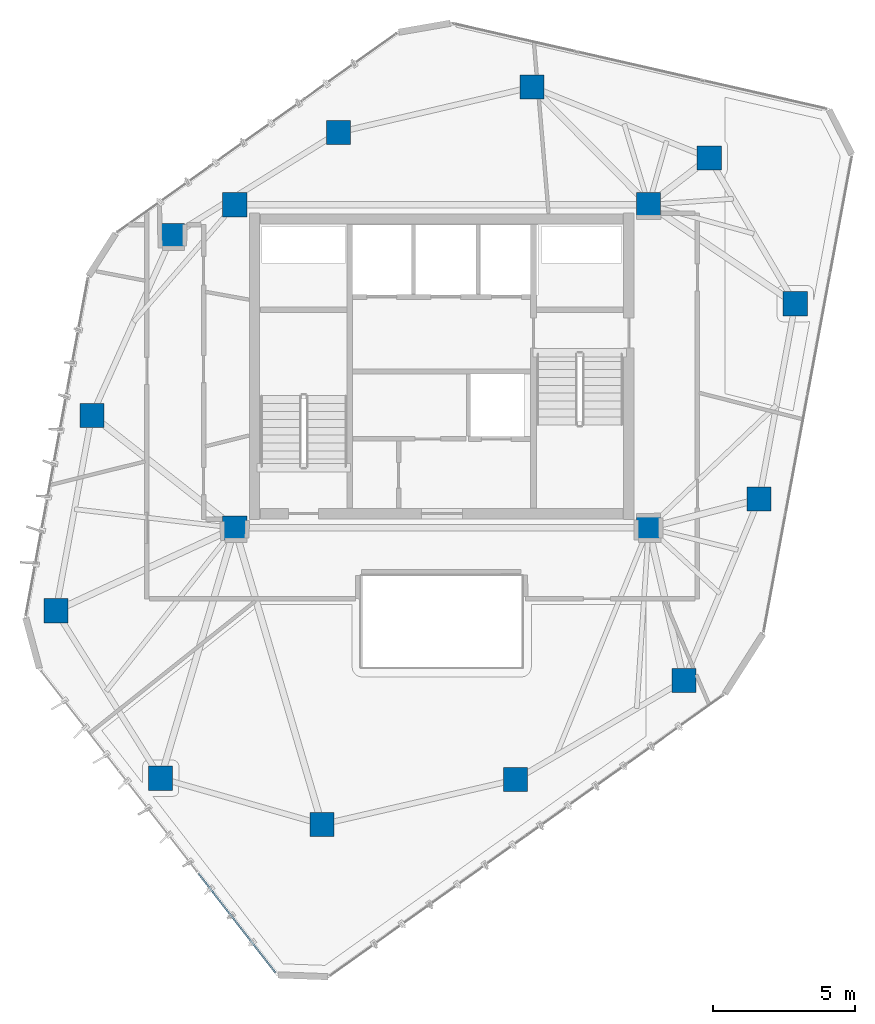
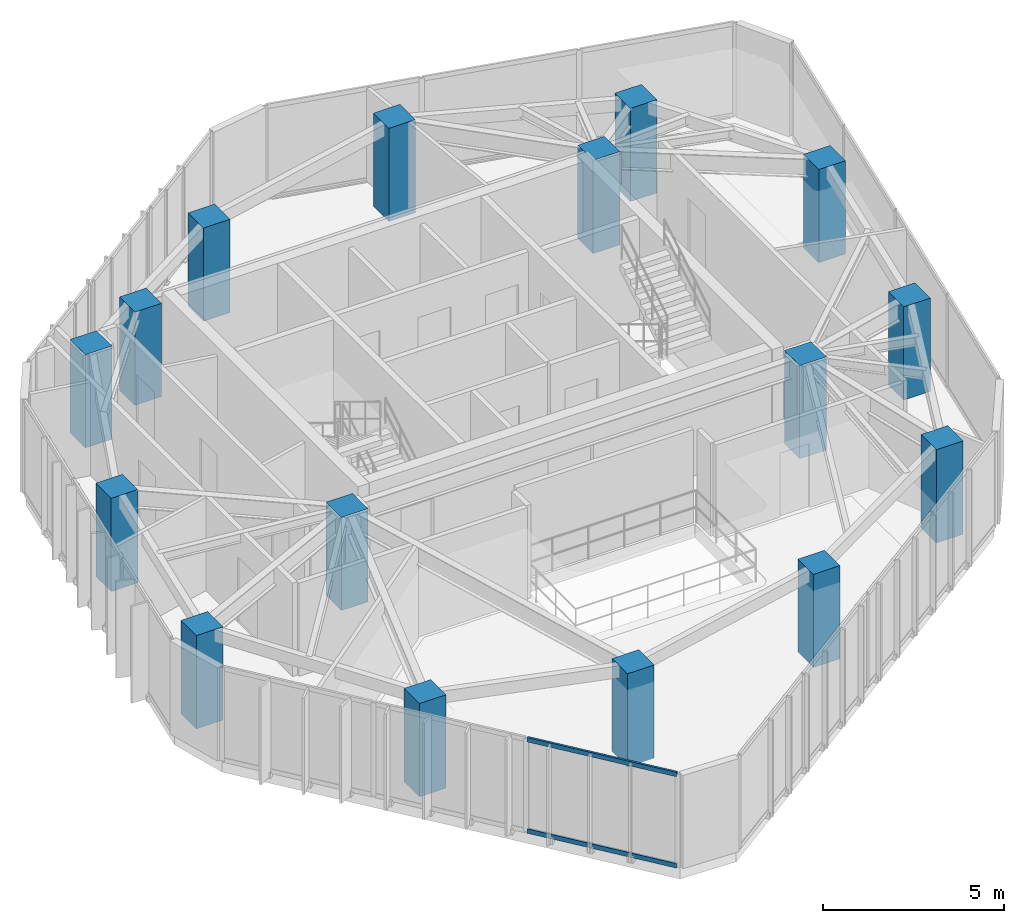
# One storey, part 1 of 19: 16 columns, 2 members, 1 element without a shape of its own.
"""IFC4 building model written with IfcOpenShell, lengths in metres."""

from ifc_helpers import new_model, si_unit, direction, frame, origin, origin_2d, place, context, subcontext, project, spatial, rectangle, hollow_rectangle, extrude, source, transform, mapped, material, layer, layer_set, material_profile, profile_set, type_object, type_shapes, element, aggregate, save


model = new_model("IFC4")

# Units and contexts
model_context = context("Model", 3, precision=1e-05, world=origin(), true_north=direction((0.0, 1.0)))
body_context = subcontext(model_context, "Body", "Model", "MODEL_VIEW")
ifc_project = project(units=[si_unit("LENGTHUNIT", "METRE"), si_unit("AREAUNIT", "SQUARE_METRE"), si_unit("VOLUMEUNIT", "CUBIC_METRE"), si_unit("PLANEANGLEUNIT", "RADIAN"), si_unit("MASSUNIT", "GRAM", prefix="KILO")], contexts=[model_context])

# Site, building, storey
site_placement = place(None, origin())
site = spatial("IfcSite", under=ifc_project, at=site_placement, CompositionType="ELEMENT")
building_placement = place(site_placement, origin())
building = spatial("IfcBuilding", under=site, at=building_placement, Name="Talar Marvaseh", CompositionType="ELEMENT")
storey_placement = place(building_placement, frame((0.0, 0.0, 240.800048828125)))
storey = spatial("IfcBuildingStorey", under=building, at=storey_placement, Name="L63", CompositionType="ELEMENT", Elevation=240.800048828125)

# Columns
ifc_material_1 = material(Name="Concrete C50/60", Category="concrete")
ifc_material_profile_1 = material_profile(ifc_material_1, rectangle(XDim=0.85009765625, YDim=0.85009765625, at=origin_2d()), Name="RC850x850")
ifc_profile_set_1 = profile_set([ifc_material_profile_1], Name="Concrete C50/60")
column_type = type_object("IfcColumnType", Name="Zone 4 Tube Column RC850x850", PredefinedType="COLUMN", material=ifc_profile_set_1)
for number, where, z_axis, x_axis, name in (
    (1, (12.388916015625, 22.576904296875, 0.0), (0.0, 0.0, 1.0), (1.0, 0.0, 0.0), "L63 Zone 4 Tube Column RC850x850"),
    (2, (13.657958984375, 29.469970703125, 0.0), (0.0, 0.0, 1.0), (1.0, 0.0, 0.0), "L63 Zone 4 Tube Column RC850x850"),
    (3, (16.493896484375, 35.806884765625, 0.0), (0.0, 0.0, 1.0), (1.0, 0.0, 0.0), "L63 Zone 4 Tube Column RC850x850"),
    (4, (22.364990234375, 39.4541015625, 0.0), (0.0, 0.0, 1.0), (1.0, 0.0, 0.0), "L63 Zone 4 Tube Column RC850x850"),
    (5, (29.18798828125, 41.052001953125, 0.0), (0.0, 0.0, 1.0), (1.0, 0.0, 0.0), "L63 Zone 4 Tube Column RC850x850"),
    (6, (35.43798828125, 38.551025390625, 0.0), (0.0, 0.0, 1.0), (1.0, 0.0, 0.0), "L63 Zone 4 Tube Column RC850x850"),
    (7, (38.470947265625, 33.406005859375, 0.0), (0.0, 0.0, 1.0), (1.0, 0.0, 0.0), "L63 Zone 4 Tube Column RC850x850"),
    (8, (37.197021484375, 26.513916015625, 0.0), (0.0, 0.0, 1.0), (1.0, 0.0, 0.0), "L63 Zone 4 Tube Column RC850x850"),
    (9, (34.5439453125, 20.111083984375, 0.0), (0.0, 0.0, 1.0), (1.0, 0.0, 0.0), "L63 Zone 4 Tube Column RC850x850"),
    (10, (28.60498046875, 16.616943359375, 0.0), (0.0, 0.0, 1.0), (1.0, 0.0, 0.0), "L63 Zone 4 Tube Column RC850x850"),
    (11, (21.77587890625, 15.0400390625, 0.0), (0.0, 0.0, 1.0), (1.0, 0.0, 0.0), "L63 Zone 4 Tube Column RC850x850"),
    (12, (16.0869140625, 16.66796875, 0.0), (0.0, 0.0, 1.0), (1.0, 0.0, 0.0), "L63 Zone 4 Tube Column RC850x850"),
    (13, (18.699951171875, 25.5, 0.0), (0.0, 0.0, 1.0), (1.0, 0.0, 0.0), "L63 Zone 4 Tube Column RC850x850"),
    (14, (33.300048828125, 25.5, 0.0), (0.0, 0.0, 1.0), (1.0, 0.0, 0.0), "L63 Zone 4 Tube Column RC850x850"),
    (15, (33.300048828125, 36.89990234375, 0.0), (0.0, 0.0, 1.0), (1.0, 0.0, 0.0), "L63 Zone 4 Tube Column RC850x850"),
    (16, (18.699951171875, 36.89990234375, 0.0), (0.0, 0.0, 1.0), (1.0, 0.0, 0.0), "L63 Zone 4 Tube Column RC850x850"),
):
    element("IfcColumn", number, at=place(storey_placement, frame(where, z_axis=z_axis, x_axis=x_axis)), inside=storey, type_object=column_type, Name=name, PredefinedType="COLUMN", context=body_context, shape_type="SweptSolid", body=[
        extrude(rectangle(XDim=0.85009765625, YDim=0.85009765625, at=origin_2d()), origin(), (0.0, 0.0, 1.0), 3.139892578125),
    ])

# Curtain wall, members
ifc_material_2 = material(Name="Architectural Aluminium", Category="aluminium")
ifc_layer = layer(ifc_material_2, 0.179931640625)
ifc_layer_set = layer_set([ifc_layer], Name="Architectural Aluminium")
curtain_wall_type = type_object("IfcCurtainWallType", Name="Unitised High-Wind Sky Curtain Wall Z4", PredefinedType="NOTDEFINED", material=ifc_layer_set)
curtain_wall_placement = place(storey_placement, origin())
curtain_wall = element("IfcCurtainWall", 17, at=curtain_wall_placement, inside=storey, type_object=curtain_wall_type, Name="L63 Unitised High-Wind Sky Curtain Wall Z4", PredefinedType="NOTDEFINED")
ifc_material_profile_2 = material_profile(ifc_material_2, hollow_rectangle(XDim=0.06494140625, YDim=0.14990234375, WallThickness=0.00390625, at=origin_2d()), Name="RHS150x65x4")
ifc_profile_set_2 = profile_set([ifc_material_profile_2], Name="Architectural Aluminium")
member_type = type_object("IfcMemberType", Name="Unitised Curtain Wall Slim Transom RHS150x65x4", PredefinedType="USERDEFINED", material=ifc_profile_set_2)
shared_shape = source(origin(), body_context, "Body", "SweptSolid", [
    extrude(hollow_rectangle(XDim=0.06494140625, YDim=0.14990234375, WallThickness=0.00390625, at=origin_2d()), origin(), (0.0, 0.0, 1.0), 4.447265625),
])
type_shapes(member_type, [shared_shape])
member_1_placement = place(storey_placement, frame((20.142822265625, 9.801513671875, 0.032470703125), z_axis=(-0.613518670522, 0.78968021434, 0.0), x_axis=(-0.78968021434, -0.613518670522, 0.0)))
member_1 = element("IfcMember", 18, at=member_1_placement, type_object=member_type, Name="CW-Z4 transom 1.1", ObjectType="TRANSOM", PredefinedType="USERDEFINED", context=body_context, shape_type="MappedRepresentation", body=[
    mapped(shared_shape, transform((0.0, 0.0, 0.0), x_axis=(1.0, 0.0, 0.0), y_axis=(0.0, 1.0, 0.0), z_axis=(0.0, 0.0, 1.0), scale=1.0)),
])
member_2_placement = place(storey_placement, frame((20.142822265625, 9.801513671875, 3.107421875), z_axis=(-0.613518670522, 0.78968021434, 0.0), x_axis=(-0.78968021434, -0.613518670522, 0.0)))
member_2 = element("IfcMember", 19, at=member_2_placement, type_object=member_type, Name="CW-Z4 transom 1.2", ObjectType="TRANSOM", PredefinedType="USERDEFINED", context=body_context, shape_type="MappedRepresentation", body=[
    mapped(shared_shape, transform((0.0, 0.0, 0.0), x_axis=(1.0, 0.0, 0.0), y_axis=(0.0, 1.0, 0.0), z_axis=(0.0, 0.0, 1.0), scale=1.0)),
])
aggregate(curtain_wall, [member_1, member_2])

save(model, "model.ifc")
